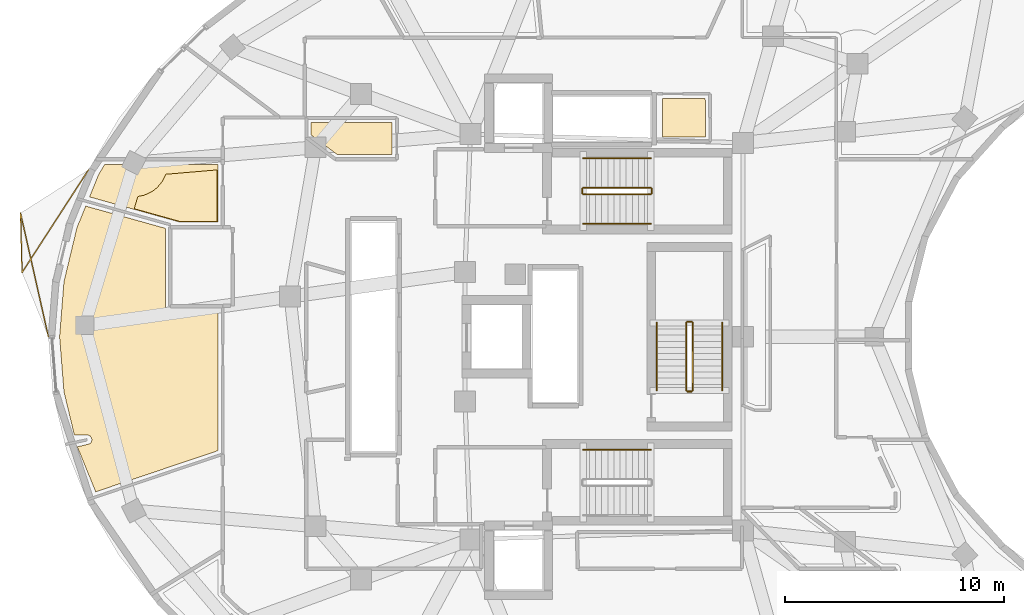
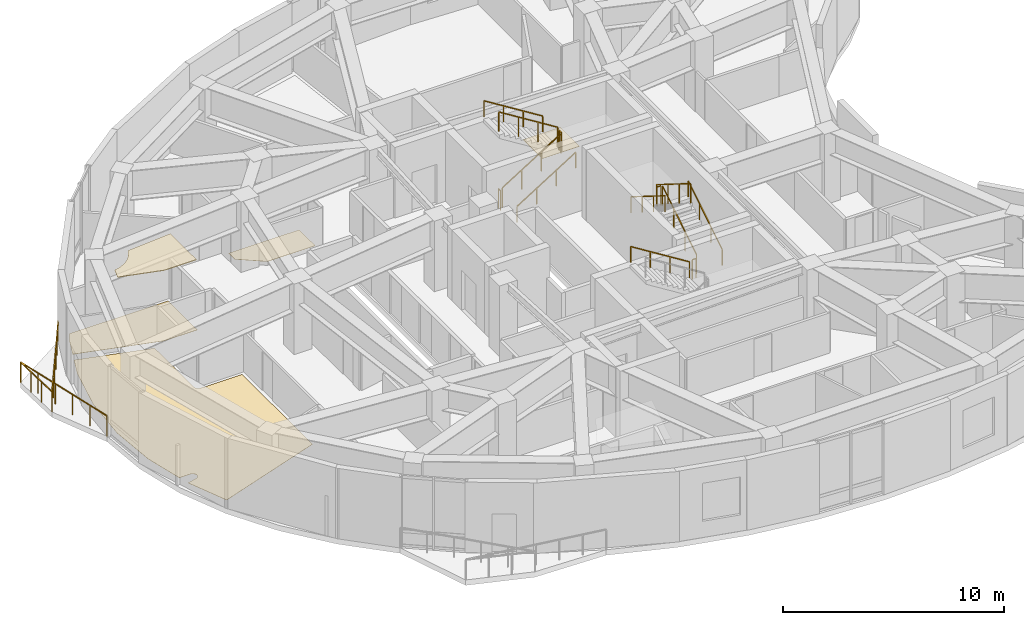
# One storey, part 12 of 13: 14 railings, 5 coverings.
"""IFC4 building model written with IfcOpenShell, lengths in metres."""

import ifcopenshell
import ifcopenshell.guid

model = None  # the IFC model being written
_history = None  # IfcOwnerHistory: only IFC2X3 demands one
_inside = {}  # id of a spatial element -> (the spatial element, [elements in it])
_under = {}  # id of a project, library or spatial element -> (it, [spatial elements below it])
_declared = {}  # id of a project -> (the project, [libraries it declares])
_typed = {}  # id of a type object -> (the type object, [elements of that type])
_made_of = {}  # id of a material, layer set ... -> (it, [elements and type objects made of it])


def new_model(schema):
    """Start an empty IFC model of exactly this schema.

    Asked for "IFC4X3", IfcOpenShell would pick the latest addendum, in which some entities
    have other attributes; the version numbers below select the first issue.
    IFC2X3 requires an IfcOwnerHistory on every rooted entity: one is made here for all.
    """
    global model, _history
    if schema == "IFC4X3":
        model = ifcopenshell.file(schema_version=(4, 3, 0, 0))
    else:
        model = ifcopenshell.file(schema=schema)
    _inside.clear()
    _under.clear()
    _declared.clear()
    _typed.clear()
    _made_of.clear()
    _history = None
    if model.schema == "IFC2X3":
        org = make("IfcOrganization", Name="unknown")
        user = make(
            "IfcPersonAndOrganization",
            ThePerson=make("IfcPerson", FamilyName="unknown"),
            TheOrganization=org,
        )
        app = make(
            "IfcApplication",
            ApplicationDeveloper=org,
            Version="unknown",
            ApplicationFullName="unknown",
            ApplicationIdentifier="unknown",
        )
        _history = make(
            "IfcOwnerHistory",
            OwningUser=user,
            OwningApplication=app,
            ChangeAction="ADDED",
            CreationDate=0,
        )
    return model


def make(cls, **values):
    """One entity of the class cls with the attributes given. An attribute that is None is left unset."""
    return model.create_entity(
        cls, **{name: value for name, value in values.items() if value is not None}
    )


def rooted(cls, **values):
    """An entity with a GlobalId (a new one), such as an element, a storey or a relation."""
    return make(cls, GlobalId=ifcopenshell.guid.new(), OwnerHistory=_history, **values)


def si_unit(unit_type, name, prefix=None):
    """IfcSIUnit, for example si_unit("LENGTHUNIT", "METRE", prefix="MILLI")."""
    return make("IfcSIUnit", UnitType=unit_type, Prefix=prefix, Name=name)


def assignment(units):
    """IfcUnitAssignment: the units of a project."""
    return None if units is None else make("IfcUnitAssignment", Units=units)


def point(xyz):
    """IfcCartesianPoint."""
    return None if xyz is None else make("IfcCartesianPoint", Coordinates=xyz)


def direction(xyz):
    """IfcDirection."""
    return None if xyz is None else make("IfcDirection", DirectionRatios=xyz)


def frame(location, z_axis=None, x_axis=None):
    """IfcAxis2Placement3D, a coordinate frame: its origin and axes. An axis left out is left unset."""
    return make(
        "IfcAxis2Placement3D",
        Location=point(location),
        Axis=direction(z_axis),
        RefDirection=direction(x_axis),
    )


def frame_2d(location, x_axis=None):
    """IfcAxis2Placement2D, a coordinate frame in the plane: its origin and x axis."""
    return make(
        "IfcAxis2Placement2D", Location=point(location), RefDirection=direction(x_axis)
    )


def origin():
    """The frame at (0, 0, 0) with its axes left unset."""
    return frame((0.0, 0.0, 0.0))


def origin_2d():
    """The frame at (0, 0) in the plane with its x axis left unset."""
    return frame_2d((0.0, 0.0))


def place(relative_to, where):
    """IfcLocalPlacement: puts the frame where relative to a parent placement (None: the world)."""
    return make(
        "IfcLocalPlacement", PlacementRelTo=relative_to, RelativePlacement=where
    )


def context(
    kind, dimensions, precision=None, world=None, true_north=None, identifier=None
):
    """IfcGeometricRepresentationContext, for example the 3D "Model" context."""
    return make(
        "IfcGeometricRepresentationContext",
        ContextIdentifier=identifier,
        ContextType=kind,
        CoordinateSpaceDimension=dimensions,
        Precision=precision,
        WorldCoordinateSystem=world,
        TrueNorth=true_north,
    )


def subcontext(parent, identifier, kind, view, scale=None):
    """IfcGeometricRepresentationSubContext, for example "Body" below "Model"."""
    return make(
        "IfcGeometricRepresentationSubContext",
        ContextIdentifier=identifier,
        ContextType=kind,
        ParentContext=parent,
        TargetScale=scale,
        TargetView=view,
    )


def project(units=None, contexts=None):
    """IfcProject with its units and contexts."""
    return rooted(
        "IfcProject",
        Name="project",
        RepresentationContexts=contexts,
        UnitsInContext=assignment(units),
    )


def spatial(cls, under=None, at=None, **own):
    """A site, building, storey or space (cls), placed at a placement, below another one or the project."""
    s = rooted(cls, ObjectPlacement=at, **own)
    if under is not None:
        _under.setdefault(under.id(), (under, []))[1].append(s)
    return s


def polyline(points):
    """IfcPolyline through the points."""
    return make("IfcPolyline", Points=[point(p) for p in points])


def profile(cls, at=None, kind="AREA", **sizes):
    """A parametric profile (cls). Its sizes go by their IFC names, for example OverallWidth=200.0."""
    return make(cls, ProfileType=kind, Position=at, **sizes)


def rectangle(**sizes):
    """IfcRectangleProfileDef."""
    return profile("IfcRectangleProfileDef", **sizes)


def outline(outer, holes=None, kind="AREA"):
    """IfcArbitraryClosedProfileDef: a profile drawn as a closed curve; with holes, ...WithVoids."""
    if holes is None:
        return make("IfcArbitraryClosedProfileDef", ProfileType=kind, OuterCurve=outer)
    return make(
        "IfcArbitraryProfileDefWithVoids",
        ProfileType=kind,
        OuterCurve=outer,
        InnerCurves=holes,
    )


def extrude(swept, where, along, depth):
    """IfcExtrudedAreaSolid: the profile swept, set in the frame where, extruded along a direction by depth."""
    return make(
        "IfcExtrudedAreaSolid",
        SweptArea=swept,
        Position=where,
        ExtrudedDirection=direction(along),
        Depth=depth,
    )


def shape(context_of_items, identifier, shape_type, items):
    """IfcShapeRepresentation: the items that make up one representation, for example the "Body"."""
    return make(
        "IfcShapeRepresentation",
        ContextOfItems=context_of_items,
        RepresentationIdentifier=identifier,
        RepresentationType=shape_type,
        Items=items,
    )


def material(Name=None, Category=None):
    """IfcMaterial."""
    return make("IfcMaterial", Name=Name, Category=Category)


def layer(
    of_material, thickness, ventilated=None, Name=None, Category=None, Priority=None
):
    """IfcMaterialLayer: one layer of a wall or slab, of a material (None: an air gap)."""
    return make(
        "IfcMaterialLayer",
        Material=of_material,
        LayerThickness=thickness,
        IsVentilated=ventilated,
        Name=Name,
        Category=Category,
        Priority=Priority,
    )


def layer_set(layers, Name=None):
    """IfcMaterialLayerSet."""
    return make("IfcMaterialLayerSet", MaterialLayers=layers, LayerSetName=Name)


def made_of(thing, what):
    """Note that an element or type object is made of a material, layer set ...; save() writes the relation."""
    if what is not None:
        _made_of.setdefault(what.id(), (what, []))[1].append(thing)
    return thing


def type_object(cls, material=None, **own):
    """A type object (cls), such as IfcWallType, which elements share."""
    return made_of(rooted(cls, **own), material)


def element(
    cls,
    number,
    at=None,
    inside=None,
    cuts=None,
    type_object=None,
    material=None,
    context=None,
    identifier="Body",
    shape_type=None,
    held_by="IfcProductDefinitionShape",
    body=None,
    shapes=None,
    **own,
):
    """One element of the class cls, such as IfcWall. Its Tag is "e" and its number.

    at: its placement. inside: the storey or other place that contains it. cuts: it is an
    opening in that element (IfcRelVoidsElement). A single representation is given by context,
    identifier, shape_type and body (its items); several are given by shapes. held_by: the class
    of the entity that holds the representations. save() writes the other relations.
    """
    e = rooted(cls, Tag="e%d" % number, ObjectPlacement=at, **own)
    if body is not None:
        shapes = [shape(context, identifier, shape_type, body)]
    if shapes is not None:
        e.Representation = make(held_by, Representations=shapes)
    if inside is not None:
        _inside.setdefault(inside.id(), (inside, []))[1].append(e)
    if cuts is not None:
        rooted(
            "IfcRelVoidsElement", RelatingBuildingElement=cuts, RelatedOpeningElement=e
        )
    if type_object is not None:
        _typed.setdefault(type_object.id(), (type_object, []))[1].append(e)
    return made_of(e, material)


def aggregate(whole, parts):
    """IfcRelAggregates: a whole, such as a stair, and the parts it consists of."""
    return rooted("IfcRelAggregates", RelatingObject=whole, RelatedObjects=parts)


def save(model, path):
    """Write the relations noted so far, then the file.

    IfcRelAggregates (storeys below a building ...), IfcRelContainedInSpatialStructure (elements
    in a storey), IfcRelDefinesByType, IfcRelAssociatesMaterial and IfcRelDeclares: one each for
    every whole, place, type object, material and project.
    """
    for whole, parts in _under.values():
        aggregate(whole, parts)
    for where, things in _inside.values():
        rooted(
            "IfcRelContainedInSpatialStructure",
            RelatedElements=things,
            RelatingStructure=where,
        )
    for kind, things in _typed.values():
        rooted("IfcRelDefinesByType", RelatedObjects=things, RelatingType=kind)
    for what, things in _made_of.values():
        rooted("IfcRelAssociatesMaterial", RelatedObjects=things, RelatingMaterial=what)
    for by, libraries in _declared.values():
        rooted("IfcRelDeclares", RelatingContext=by, RelatedDefinitions=libraries)
    model.write(path)


model = new_model("IFC4")

# Units and contexts
model_context = context("Model", 3, precision=1e-05, world=origin(), true_north=direction((0.0, 1.0)))
body_context = subcontext(model_context, "Body", "Model", "MODEL_VIEW")
ifc_project = project(units=[si_unit("LENGTHUNIT", "METRE"), si_unit("AREAUNIT", "SQUARE_METRE"), si_unit("VOLUMEUNIT", "CUBIC_METRE"), si_unit("PLANEANGLEUNIT", "RADIAN"), si_unit("MASSUNIT", "GRAM", prefix="KILO")], contexts=[model_context])

# Site, building, storey
site_placement = place(None, origin())
site = spatial("IfcSite", under=ifc_project, at=site_placement, CompositionType="ELEMENT")
building_placement = place(site_placement, origin())
building = spatial("IfcBuilding", under=site, at=building_placement, Name="Korentha Bioscience Tower", CompositionType="ELEMENT")
storey_placement = place(building_placement, frame((0.0, 0.0, 256.199951171875)))
storey = spatial("IfcBuildingStorey", under=building, at=storey_placement, Name="L59", CompositionType="ELEMENT", Elevation=256.199951171875)

# Covering
ifc_material_1 = material(Name="Vitrified Porcelain Tile", Category="ceramic")
ifc_layer_1 = layer(ifc_material_1, 0.014892578125, Name="Vitrified Porcelain Tile")
ifc_layer_set_1 = layer_set([ifc_layer_1], Name="Vitrified Porcelain Tile (FL-CER)")
covering_type_1 = type_object("IfcCoveringType", Name="Anti-Slip Ceramic Wet-Room Tile Flooring 15", PredefinedType="FLOORING", material=ifc_layer_set_1)
covering_1_placement = place(storey_placement, origin())
element("IfcCovering", 1, at=covering_1_placement, inside=storey, type_object=covering_type_1, Name="L59 Accessible Staff WC Floor Finish", PredefinedType="FLOORING", context=body_context, shape_type="SweptSolid", body=[
    extrude(outline(polyline([(33.8701171875, 36.1298828125), (33.8701171875, 37.8701171875), (35.820068359375, 37.8701171875), (35.827880859375, 36.1298828125), (33.8701171875, 36.1298828125)])), origin(), (0.0, 0.0, 1.0), 0.01513671875),
])

# Railings
ifc_material_2 = material(Name="Stainless Steel 304", Category="steel")
railing_type_1 = type_object("IfcRailingType", Name="Brushed Stainless Stair Handrail 900", PredefinedType="HANDRAIL", material=ifc_material_2)
railing_1_placement = place(storey_placement, frame((30.25, 32.14990234375, 0.175048828125)))
element("IfcRailing", 2, at=railing_1_placement, inside=storey, type_object=railing_type_1, Name="L59 ST-1 stair handrail 1", PredefinedType="HANDRAIL", context=body_context, shape_type="SweptSolid", body=[
    extrude(rectangle(XDim=0.048095703125, YDim=0.048095703125, at=origin_2d()), frame((0.0, 0.0, 0.8759765625), z_axis=(0.847998304005, 0.0, 0.529998940003), x_axis=(0.0, 1.0, 0.0)), (0.0, 0.0, 1.0), 3.632080078125),
    extrude(rectangle(XDim=0.0419921875, YDim=0.0419921875, at=origin_2d()), origin(), (0.0, 0.0, 1.0), 0.851806640625),
    extrude(rectangle(XDim=0.0419921875, YDim=0.0419921875, at=origin_2d()), frame((1.026611328125, 0.0, 0.6416015625)), (0.0, 0.0, 1.0), 0.851806640625),
    extrude(rectangle(XDim=0.0419921875, YDim=0.0419921875, at=origin_2d()), frame((2.053466796875, 0.0, 1.283447265625)), (0.0, 0.0, 1.0), 0.851806640625),
    extrude(rectangle(XDim=0.0419921875, YDim=0.0419921875, at=origin_2d()), frame((3.080078125, 0.0, 1.925048828125)), (0.0, 0.0, 1.0), 0.851806640625),
])
for number, where, name in (
    (3, (33.330078125, 35.14990234375, 2.275146484375), "L59 ST-1 stair handrail 2"),
    (4, (33.330078125, 21.85009765625, 2.275146484375), "L59 ST-2 stair handrail 2"),
):
    element("IfcRailing", number, at=place(storey_placement, frame(where)), inside=storey, type_object=railing_type_1, Name=name, PredefinedType="HANDRAIL", context=body_context, shape_type="SweptSolid", body=[
        extrude(rectangle(XDim=0.048095703125, YDim=0.048095703125, at=origin_2d()), frame((0.0, 0.0, 0.8759765625), z_axis=(-0.848028513186, 0.0, 0.529950602248), x_axis=(0.0, -1.0, 0.0)), (0.0, 0.0, 1.0), 3.632080078125),
        extrude(rectangle(XDim=0.0419921875, YDim=0.0419921875, at=origin_2d()), origin(), (0.0, 0.0, 1.0), 0.851806640625),
        extrude(rectangle(XDim=0.0419921875, YDim=0.0419921875, at=origin_2d()), frame((-1.026611328125, 0.0, 0.6416015625)), (0.0, 0.0, 1.0), 0.851806640625),
        extrude(rectangle(XDim=0.0419921875, YDim=0.0419921875, at=origin_2d()), frame((-2.053466796875, 0.0, 1.283203125)), (0.0, 0.0, 1.0), 0.851806640625),
        extrude(rectangle(XDim=0.0419921875, YDim=0.0419921875, at=origin_2d()), frame((-3.080078125, 0.0, 1.9248046875)), (0.0, 0.0, 1.0), 0.851806640625),
    ])
railing_2_placement = place(storey_placement, frame((36.60009765625, 24.550048828125, 0.175048828125)))
element("IfcRailing", 5, at=railing_2_placement, inside=storey, type_object=railing_type_1, Name="L59 ST-3 stair handrail 1", PredefinedType="HANDRAIL", context=body_context, shape_type="SweptSolid", body=[
    extrude(rectangle(XDim=0.048095703125, YDim=0.048095703125, at=origin_2d()), frame((0.0, 0.0, 0.8759765625), z_axis=(0.0, 0.847979421464, 0.530029150871), x_axis=(-1.0, 0.0, 0.0)), (0.0, 0.0, 1.0), 3.632080078125),
    extrude(rectangle(XDim=0.0419921875, YDim=0.0419921875, at=origin_2d()), origin(), (0.0, 0.0, 1.0), 0.851806640625),
    extrude(rectangle(XDim=0.0419921875, YDim=0.0419921875, at=origin_2d()), frame((0.0, 1.026611328125, 0.6416015625)), (0.0, 0.0, 1.0), 0.851806640625),
    extrude(rectangle(XDim=0.0419921875, YDim=0.0419921875, at=origin_2d()), frame((0.0, 2.05322265625, 1.283447265625)), (0.0, 0.0, 1.0), 0.851806640625),
    extrude(rectangle(XDim=0.0419921875, YDim=0.0419921875, at=origin_2d()), frame((0.0, 3.079833984375, 1.925048828125)), (0.0, 0.0, 1.0), 0.851806640625),
])
railing_3_placement = place(storey_placement, frame((33.60009765625, 27.6298828125, 2.275146484375)))
element("IfcRailing", 6, at=railing_3_placement, inside=storey, type_object=railing_type_1, Name="L59 ST-3 stair handrail 2", PredefinedType="HANDRAIL", context=body_context, shape_type="SweptSolid", body=[
    extrude(rectangle(XDim=0.048095703125, YDim=0.048095703125, at=origin_2d()), frame((0.0, 0.0, 0.8759765625), z_axis=(0.0, -0.848009633417, 0.529980812513), x_axis=(1.0, 0.0, 0.0)), (0.0, 0.0, 1.0), 3.6318359375),
    extrude(rectangle(XDim=0.0419921875, YDim=0.0419921875, at=origin_2d()), origin(), (0.0, 0.0, 1.0), 0.851806640625),
    extrude(rectangle(XDim=0.0419921875, YDim=0.0419921875, at=origin_2d()), frame((0.0, -1.026611328125, 0.6416015625)), (0.0, 0.0, 1.0), 0.851806640625),
    extrude(rectangle(XDim=0.0419921875, YDim=0.0419921875, at=origin_2d()), frame((0.0, -2.05322265625, 1.283203125)), (0.0, 0.0, 1.0), 0.851806640625),
    extrude(rectangle(XDim=0.0419921875, YDim=0.0419921875, at=origin_2d()), frame((0.0, -3.079833984375, 1.9248046875)), (0.0, 0.0, 1.0), 0.851806640625),
])
ifc_material_3 = material(Name="Laminated Tempered Safety Glass", Category="glass")
railing_type_2 = type_object("IfcRailingType", Name="Laminated Glass Balcony Guardrail 1150", PredefinedType="BALUSTRADE", material=ifc_material_3)
railing_4_placement = place(storey_placement, frame((7.66455078125, 34.62109375, 0.0)))
element("IfcRailing", 7, at=railing_4_placement, inside=storey, type_object=railing_type_2, Name="L59 Balcony Guardrail 02", PredefinedType="BALUSTRADE", context=body_context, shape_type="SweptSolid", body=[
    extrude(rectangle(XDim=0.048095703125, YDim=0.048095703125, at=origin_2d()), frame((0.0, 0.0, 1.1259765625), z_axis=(-0.543225919162, -0.83958656537, 0.0), x_axis=(0.83958656537, -0.543225919162, 0.0)), (0.0, 0.0, 1.0), 5.588623046875),
    extrude(rectangle(XDim=0.048095703125, YDim=0.048095703125, at=origin_2d()), frame((-3.035888671875, -4.692138671875, 1.1259765625), z_axis=(-0.024799129731, 0.99969245429, 0.0), x_axis=(-0.99969245429, -0.024799129731, 0.0)), (0.0, 0.0, 1.0), 2.717041015625),
    extrude(rectangle(XDim=0.048095703125, YDim=0.048095703125, at=origin_2d()), frame((-3.103271484375, -1.975830078125, 1.1259765625), z_axis=(0.219766179251, -0.975552574932, 0.0), x_axis=(0.975552574932, 0.219766179251, 0.0)), (0.0, 0.0, 1.0), 5.78662109375),
    extrude(rectangle(XDim=0.0419921875, YDim=0.0419921875, at=origin_2d()), origin(), (0.0, 0.0, 1.0), 1.101806640625),
    extrude(rectangle(XDim=0.0419921875, YDim=0.0419921875, at=origin_2d()), frame((-0.607177734375, -0.9384765625, 0.0)), (0.0, 0.0, 1.0), 1.101806640625),
    extrude(rectangle(XDim=0.0419921875, YDim=0.0419921875, at=origin_2d()), frame((-1.21435546875, -1.876953125, 0.0)), (0.0, 0.0, 1.0), 1.101806640625),
    extrude(rectangle(XDim=0.0419921875, YDim=0.0419921875, at=origin_2d()), frame((-1.821533203125, -2.815185546875, 0.0)), (0.0, 0.0, 1.0), 1.101806640625),
    extrude(rectangle(XDim=0.0419921875, YDim=0.0419921875, at=origin_2d()), frame((-2.4287109375, -3.753662109375, 0.0)), (0.0, 0.0, 1.0), 1.101806640625),
    extrude(rectangle(XDim=0.0419921875, YDim=0.0419921875, at=origin_2d()), frame((-3.035888671875, -4.692138671875, 0.0)), (0.0, 0.0, 1.0), 1.101806640625),
    extrude(rectangle(XDim=0.0419921875, YDim=0.0419921875, at=origin_2d()), frame((-3.058349609375, -3.78662109375, 0.0)), (0.0, 0.0, 1.0), 1.101806640625),
    extrude(rectangle(XDim=0.0419921875, YDim=0.0419921875, at=origin_2d()), frame((-3.080810546875, -2.88134765625, 0.0)), (0.0, 0.0, 1.0), 1.101806640625),
    extrude(rectangle(XDim=0.0419921875, YDim=0.0419921875, at=origin_2d()), frame((-3.103271484375, -1.975830078125, 0.0)), (0.0, 0.0, 1.0), 1.101806640625),
    extrude(rectangle(XDim=0.0419921875, YDim=0.0419921875, at=origin_2d()), frame((-2.848876953125, -3.10498046875, 0.0)), (0.0, 0.0, 1.0), 1.101806640625),
    extrude(rectangle(XDim=0.0419921875, YDim=0.0419921875, at=origin_2d()), frame((-2.594482421875, -4.23388671875, 0.0)), (0.0, 0.0, 1.0), 1.101806640625),
    extrude(rectangle(XDim=0.0419921875, YDim=0.0419921875, at=origin_2d()), frame((-2.34033203125, -5.363037109375, 0.0)), (0.0, 0.0, 1.0), 1.101806640625),
    extrude(rectangle(XDim=0.0419921875, YDim=0.0419921875, at=origin_2d()), frame((-2.0859375, -6.491943359375, 0.0)), (0.0, 0.0, 1.0), 1.101806640625),
    extrude(rectangle(XDim=0.0419921875, YDim=0.0419921875, at=origin_2d()), frame((-1.83154296875, -7.62109375, 0.0)), (0.0, 0.0, 1.0), 1.101806640625),
])

# Covering
ifc_material_4 = material(Name="Antimicrobial Mineral Fibre Board", Category="gypsum")
ifc_layer_2 = layer(ifc_material_4, 0.034912109375, Name="Antimicrobial Mineral Fibre Board")
ifc_layer_set_2 = layer_set([ifc_layer_2], Name="Antimicrobial Mineral Fibre Board (CL-MF35)")
covering_type_2 = type_object("IfcCoveringType", Name="Mineral-Fibre Cleanroom Suspended Ceiling 35", PredefinedType="CEILING", material=ifc_layer_set_2)
covering_2_placement = place(storey_placement, frame((0.0, 0.0, 3.864990234375)))
element("IfcCovering", 8, at=covering_2_placement, inside=storey, type_object=covering_type_2, Name="L59 Cold-Chain Stability Chamber 23 Acoustic Ceiling", PredefinedType="CEILING", context=body_context, shape_type="SweptSolid", body=[
    extrude(outline(polyline([(11.84521484375, 32.260009765625), (9.750244140625, 32.844970703125), (9.91796875, 33.402099609375), (10.18310546875, 33.45654296875), (10.326416015625, 33.5078125), (10.594482421875, 33.651123046875), (10.716552734375, 33.74169921875), (10.829345703125, 33.843994140625), (11.022216796875, 34.078857421875), (11.1904296875, 34.416748046875), (13.5400390625, 34.6171875), (13.5400390625, 32.260009765625), (11.84521484375, 32.260009765625)])), origin(), (0.0, 0.0, 1.0), 0.03515625),
])

# Railings
ifc_material_5 = material(Name="Painted Steel S275", Category="steel")
railing_type_3 = type_object("IfcRailingType", Name="Painted Steel Stair Well Guardrail 1100", PredefinedType="GUARDRAIL", material=ifc_material_5)
railing_5_placement = place(storey_placement, frame((30.25, 33.5, 0.175048828125)))
element("IfcRailing", 9, at=railing_5_placement, inside=storey, type_object=railing_type_3, Name="L59 ST-1 stair guard 1", PredefinedType="GUARDRAIL", context=body_context, shape_type="SweptSolid", body=[
    extrude(rectangle(XDim=0.048095703125, YDim=0.048095703125, at=origin_2d()), frame((0.0, 0.0, 1.076171875), z_axis=(0.847998304005, 0.0, 0.529998940003), x_axis=(0.0, 1.0, 0.0)), (0.0, 0.0, 1.0), 3.632080078125),
    extrude(rectangle(XDim=0.0419921875, YDim=0.0419921875, at=origin_2d()), origin(), (0.0, 0.0, 1.0), 1.052001953125),
    extrude(rectangle(XDim=0.0419921875, YDim=0.0419921875, at=origin_2d()), frame((1.026611328125, 0.0, 0.6416015625)), (0.0, 0.0, 1.0), 1.052001953125),
    extrude(rectangle(XDim=0.0419921875, YDim=0.0419921875, at=origin_2d()), frame((2.053466796875, 0.0, 1.283447265625)), (0.0, 0.0, 1.0), 1.052001953125),
    extrude(rectangle(XDim=0.0419921875, YDim=0.0419921875, at=origin_2d()), frame((3.080078125, 0.0, 1.925048828125)), (0.0, 0.0, 1.0), 1.052001953125),
])
railing_6_placement = place(storey_placement, frame((33.3798828125, 33.550048828125, 2.10009765625)))
element("IfcRailing", 10, at=railing_6_placement, inside=storey, type_object=railing_type_3, Name="L59 ST-1 stair guard 2", PredefinedType="GUARDRAIL", context=body_context, shape_type="SweptSolid", body=[
    extrude(rectangle(XDim=0.048095703125, YDim=0.048095703125, at=origin_2d()), frame((0.0, 0.0, 1.076171875), z_axis=(0.0, 1.0, 0.0), x_axis=(-1.0, 0.0, 0.0)), (0.0, 0.0, 1.0), 0.199951171875),
    extrude(rectangle(XDim=0.0419921875, YDim=0.0419921875, at=origin_2d()), origin(), (0.0, 0.0, 1.0), 1.052001953125),
    extrude(rectangle(XDim=0.0419921875, YDim=0.0419921875, at=origin_2d()), frame((0.0, 0.199951171875, 0.0)), (0.0, 0.0, 1.0), 1.052001953125),
])
railing_7_placement = place(storey_placement, frame((33.330078125, 33.800048828125, 2.275146484375)))
element("IfcRailing", 11, at=railing_7_placement, inside=storey, type_object=railing_type_3, Name="L59 ST-1 stair guard 3", PredefinedType="GUARDRAIL", context=body_context, shape_type="SweptSolid", body=[
    extrude(rectangle(XDim=0.048095703125, YDim=0.048095703125, at=origin_2d()), frame((0.0, 0.0, 1.076171875), z_axis=(-0.848028513186, 0.0, 0.529950602248), x_axis=(0.0, -1.0, 0.0)), (0.0, 0.0, 1.0), 3.632080078125),
    extrude(rectangle(XDim=0.0419921875, YDim=0.0419921875, at=origin_2d()), origin(), (0.0, 0.0, 1.0), 1.052001953125),
    extrude(rectangle(XDim=0.0419921875, YDim=0.0419921875, at=origin_2d()), frame((-1.026611328125, 0.0, 0.6416015625)), (0.0, 0.0, 1.0), 1.052001953125),
    extrude(rectangle(XDim=0.0419921875, YDim=0.0419921875, at=origin_2d()), frame((-2.053466796875, 0.0, 1.283203125)), (0.0, 0.0, 1.0), 1.052001953125),
    extrude(rectangle(XDim=0.0419921875, YDim=0.0419921875, at=origin_2d()), frame((-3.080078125, 0.0, 1.9248046875)), (0.0, 0.0, 1.0), 1.052001953125),
])
railing_8_placement = place(storey_placement, frame((30.199951171875, 33.550048828125, 0.0)))
element("IfcRailing", 12, at=railing_8_placement, inside=storey, type_object=railing_type_3, Name="L59 ST-1 stair guard 4", PredefinedType="GUARDRAIL", context=body_context, shape_type="SweptSolid", body=[
    extrude(rectangle(XDim=0.048095703125, YDim=0.048095703125, at=origin_2d()), frame((0.0, 0.0, 1.076171875), z_axis=(0.0, 1.0, 0.0), x_axis=(-1.0, 0.0, 0.0)), (0.0, 0.0, 1.0), 0.199951171875),
    extrude(rectangle(XDim=0.0419921875, YDim=0.0419921875, at=origin_2d()), origin(), (0.0, 0.0, 1.0), 1.052001953125),
    extrude(rectangle(XDim=0.0419921875, YDim=0.0419921875, at=origin_2d()), frame((0.0, 0.199951171875, 0.0)), (0.0, 0.0, 1.0), 1.052001953125),
])
railing_9_placement = place(storey_placement, frame((35.25, 24.550048828125, 0.175048828125)))
element("IfcRailing", 13, at=railing_9_placement, inside=storey, type_object=railing_type_3, Name="L59 ST-3 stair guard 1", PredefinedType="GUARDRAIL", context=body_context, shape_type="SweptSolid", body=[
    extrude(rectangle(XDim=0.048095703125, YDim=0.048095703125, at=origin_2d()), frame((0.0, 0.0, 1.076171875), z_axis=(0.0, 0.847979421464, 0.530029150871), x_axis=(-1.0, 0.0, 0.0)), (0.0, 0.0, 1.0), 3.632080078125),
    extrude(rectangle(XDim=0.0419921875, YDim=0.0419921875, at=origin_2d()), origin(), (0.0, 0.0, 1.0), 1.052001953125),
    extrude(rectangle(XDim=0.0419921875, YDim=0.0419921875, at=origin_2d()), frame((0.0, 1.026611328125, 0.6416015625)), (0.0, 0.0, 1.0), 1.052001953125),
    extrude(rectangle(XDim=0.0419921875, YDim=0.0419921875, at=origin_2d()), frame((0.0, 2.05322265625, 1.283447265625)), (0.0, 0.0, 1.0), 1.052001953125),
    extrude(rectangle(XDim=0.0419921875, YDim=0.0419921875, at=origin_2d()), frame((0.0, 3.079833984375, 1.925048828125)), (0.0, 0.0, 1.0), 1.052001953125),
])
railing_10_placement = place(storey_placement, frame((35.199951171875, 27.679931640625, 2.10009765625)))
element("IfcRailing", 14, at=railing_10_placement, inside=storey, type_object=railing_type_3, Name="L59 ST-3 stair guard 2", PredefinedType="GUARDRAIL", context=body_context, shape_type="SweptSolid", body=[
    extrude(rectangle(XDim=0.048095703125, YDim=0.048095703125, at=origin_2d()), frame((0.0, 0.0, 1.076171875), z_axis=(-1.0, 0.0, 0.0), x_axis=(0.0, -1.0, 0.0)), (0.0, 0.0, 1.0), 0.199951171875),
    extrude(rectangle(XDim=0.0419921875, YDim=0.0419921875, at=origin_2d()), origin(), (0.0, 0.0, 1.0), 1.052001953125),
    extrude(rectangle(XDim=0.0419921875, YDim=0.0419921875, at=origin_2d()), frame((-0.199951171875, 0.0, 0.0)), (0.0, 0.0, 1.0), 1.052001953125),
])
railing_11_placement = place(storey_placement, frame((34.949951171875, 27.6298828125, 2.275146484375)))
element("IfcRailing", 15, at=railing_11_placement, inside=storey, type_object=railing_type_3, Name="L59 ST-3 stair guard 3", PredefinedType="GUARDRAIL", context=body_context, shape_type="SweptSolid", body=[
    extrude(rectangle(XDim=0.048095703125, YDim=0.048095703125, at=origin_2d()), frame((0.0, 0.0, 1.076171875), z_axis=(0.0, -0.848009633417, 0.529980812513), x_axis=(1.0, 0.0, 0.0)), (0.0, 0.0, 1.0), 3.6318359375),
    extrude(rectangle(XDim=0.0419921875, YDim=0.0419921875, at=origin_2d()), origin(), (0.0, 0.0, 1.0), 1.052001953125),
    extrude(rectangle(XDim=0.0419921875, YDim=0.0419921875, at=origin_2d()), frame((0.0, -1.026611328125, 0.6416015625)), (0.0, 0.0, 1.0), 1.052001953125),
    extrude(rectangle(XDim=0.0419921875, YDim=0.0419921875, at=origin_2d()), frame((0.0, -2.05322265625, 1.283203125)), (0.0, 0.0, 1.0), 1.052001953125),
    extrude(rectangle(XDim=0.0419921875, YDim=0.0419921875, at=origin_2d()), frame((0.0, -3.079833984375, 1.9248046875)), (0.0, 0.0, 1.0), 1.052001953125),
])
railing_12_placement = place(storey_placement, frame((35.199951171875, 24.5, 0.0)))
element("IfcRailing", 16, at=railing_12_placement, inside=storey, type_object=railing_type_3, Name="L59 ST-3 stair guard 4", PredefinedType="GUARDRAIL", context=body_context, shape_type="SweptSolid", body=[
    extrude(rectangle(XDim=0.048095703125, YDim=0.048095703125, at=origin_2d()), frame((0.0, 0.0, 1.076171875), z_axis=(-1.0, 0.0, 0.0), x_axis=(0.0, -1.0, 0.0)), (0.0, 0.0, 1.0), 0.199951171875),
    extrude(rectangle(XDim=0.0419921875, YDim=0.0419921875, at=origin_2d()), origin(), (0.0, 0.0, 1.0), 1.052001953125),
    extrude(rectangle(XDim=0.0419921875, YDim=0.0419921875, at=origin_2d()), frame((-0.199951171875, 0.0, 0.0)), (0.0, 0.0, 1.0), 1.052001953125),
])

# Coverings
ifc_material_6 = material(Name="Chemical-Resistant Epoxy Resin", Category="polymer")
ifc_layer_3 = layer(ifc_material_6, 0.011962890625, Name="Chemical-Resistant Epoxy Resin")
ifc_layer_set_3 = layer_set([ifc_layer_3], Name="Chemical-Resistant Epoxy Resin (FL-EPX)")
covering_type_3 = type_object("IfcCoveringType", Name="Seamless Epoxy Laboratory Flooring 12", PredefinedType="FLOORING", material=ifc_layer_set_3)
covering_3_placement = place(storey_placement, origin())
element("IfcCovering", 17, at=covering_3_placement, inside=storey, type_object=covering_type_3, Name="L59 Principal Investigator Office 01 Floor Finish", PredefinedType="FLOORING", context=body_context, shape_type="SweptSolid", body=[
    extrude(outline(polyline([(6.543701171875, 29.509765625), (7.138671875, 31.98583984375), (7.538330078125, 32.964111328125), (11.169921875, 31.9501953125), (11.169921875, 28.39990234375), (11.202880859375, 28.28125), (11.2822265625, 28.202392578125), (11.38916015625, 28.17041015625), (13.570068359375, 28.169921875), (13.570068359375, 21.79736328125), (7.993896484375, 19.9208984375), (7.154541015625, 21.975341796875), (7.71142578125, 22.107177734375), (7.761962890625, 22.1494140625), (7.805908203125, 22.22412109375), (7.818115234375, 22.288818359375), (7.804931640625, 22.37451171875), (7.743896484375, 22.464599609375), (7.627197265625, 22.51953125), (7.016845703125, 22.52197265625), (6.543701171875, 24.489990234375), (6.344482421875, 27.0), (6.543701171875, 29.509765625)])), origin(), (0.0, 0.0, 1.0), 0.011962890625),
])
covering_4_placement = place(storey_placement, origin())
element("IfcCovering", 18, at=covering_4_placement, inside=storey, type_object=covering_type_3, Name="L59 Vaccine Formulation Cleanroom 21 Floor Finish", PredefinedType="FLOORING", context=body_context, shape_type="SweptSolid", body=[
    extrude(outline(polyline([(17.830078125, 36.208740234375), (17.830078125, 36.77001953125), (21.52001953125, 36.77001953125), (21.52001953125, 35.322021484375), (19.010986328125, 35.322021484375), (17.830078125, 36.208740234375)])), origin(), (0.0, 0.0, 1.0), 0.011962890625),
])
covering_5_placement = place(storey_placement, origin())
element("IfcCovering", 19, at=covering_5_placement, inside=storey, type_object=covering_type_3, Name="L59 Cold-Chain Stability Chamber 23 Floor Finish", PredefinedType="FLOORING", context=body_context, shape_type="SweptSolid", body=[
    extrude(outline(polyline([(13.570068359375, 34.8720703125), (13.570068359375, 32.22998046875), (11.8408203125, 32.22998046875), (7.709716796875, 33.383544921875), (8.12255859375, 34.39404296875), (8.404541015625, 34.8720703125), (13.570068359375, 34.8720703125)])), origin(), (0.0, 0.0, 1.0), 0.011962890625),
])

save(model, "model.ifc")
